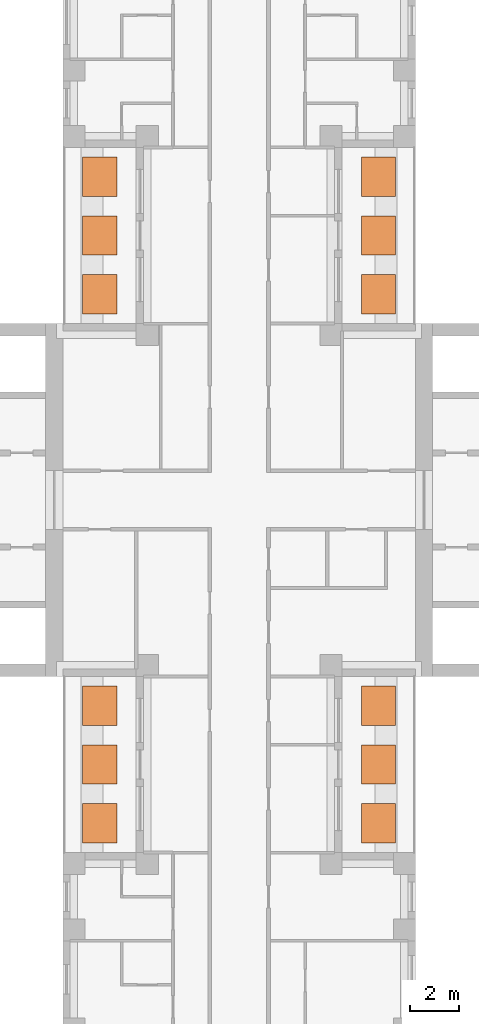
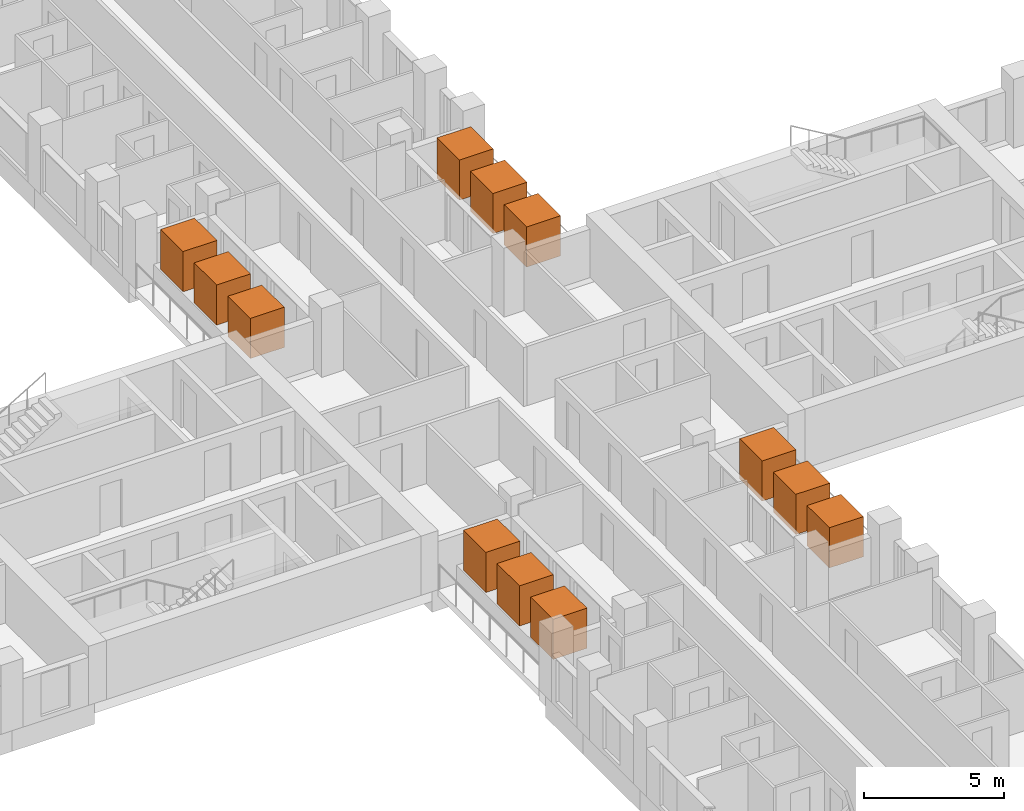
# One storey, part 15 of 15: 12 geographic elements.
"""IFC4 building model written with IfcOpenShell, lengths in metres."""

from ifc_helpers import new_model, si_unit, direction, frame, origin, origin_2d, place, context, subcontext, project, spatial, rectangle, extrude, material, element, save


model = new_model("IFC4")

# Units and contexts
model_context = context("Model", 3, precision=1e-05, world=origin(), true_north=direction((0.0, 1.0)))
body_context = subcontext(model_context, "Body", "Model", "MODEL_VIEW")
ifc_project = project(units=[si_unit("LENGTHUNIT", "METRE"), si_unit("AREAUNIT", "SQUARE_METRE"), si_unit("VOLUMEUNIT", "CUBIC_METRE"), si_unit("PLANEANGLEUNIT", "RADIAN"), si_unit("MASSUNIT", "GRAM", prefix="KILO")], contexts=[model_context])

# Site, building, storey
site_placement = place(None, origin())
site = spatial("IfcSite", under=ifc_project, at=site_placement, CompositionType="ELEMENT")
building_placement = place(site_placement, origin())
building = spatial("IfcBuilding", under=site, at=building_placement, Name="Fustian Cross Tower", CompositionType="ELEMENT")
storey_placement = place(building_placement, frame((0.0, 0.0, 14.699951171875)))
storey = spatial("IfcBuildingStorey", under=building, at=storey_placement, Name="L03", CompositionType="ELEMENT", Elevation=14.699951171875)

# Geographic elements
ifc_material = material(Name="Evergreen foliage")
for number, where, z_axis, x_axis, name in (
    (1, (5.68994140625, 8.39990234375, 0.800048828125), (0.0, 0.0, 1.0), (1.0, 0.0, 0.0), "TREE field maple"),
    (2, (5.68994140625, 10.800048828125, 0.800048828125), (0.0, 0.0, 1.0), (1.0, 0.0, 0.0), "TREE field maple"),
    (3, (5.68994140625, 13.199951171875, 0.800048828125), (0.0, 0.0, 1.0), (1.0, 0.0, 0.0), "TREE field maple"),
    (4, (-5.68994140625, 8.39990234375, 0.800048828125), (0.0, 0.0, 1.0), (1.0, 0.0, 0.0), "TREE field maple"),
    (5, (-5.68994140625, 10.800048828125, 0.800048828125), (0.0, 0.0, 1.0), (1.0, 0.0, 0.0), "TREE field maple"),
    (6, (-5.68994140625, 13.199951171875, 0.800048828125), (0.0, 0.0, 1.0), (1.0, 0.0, 0.0), "TREE field maple"),
    (7, (5.68994140625, -13.199951171875, 0.800048828125), (0.0, 0.0, 1.0), (1.0, 0.0, 0.0), "TREE field maple"),
    (8, (5.68994140625, -10.800048828125, 0.800048828125), (0.0, 0.0, 1.0), (1.0, 0.0, 0.0), "TREE field maple"),
    (9, (5.68994140625, -8.39990234375, 0.800048828125), (0.0, 0.0, 1.0), (1.0, 0.0, 0.0), "TREE field maple"),
    (10, (-5.68994140625, -13.199951171875, 0.800048828125), (0.0, 0.0, 1.0), (1.0, 0.0, 0.0), "TREE field maple"),
    (11, (-5.68994140625, -10.800048828125, 0.800048828125), (0.0, 0.0, 1.0), (1.0, 0.0, 0.0), "TREE field maple"),
    (12, (-5.68994140625, -8.39990234375, 0.800048828125), (0.0, 0.0, 1.0), (1.0, 0.0, 0.0), "TREE field maple"),
):
    element("IfcGeographicElement", number, at=place(storey_placement, frame(where, z_axis=z_axis, x_axis=x_axis)), inside=storey, material=ifc_material, Name=name, ObjectType="VEGETATION", PredefinedType="USERDEFINED", context=body_context, shape_type="SweptSolid", body=[
        extrude(rectangle(XDim=1.39990234375, YDim=1.60009765625, at=origin_2d()), origin(), (0.0, 0.0, 1.0), 1.75),
    ])

save(model, "model.ifc")
